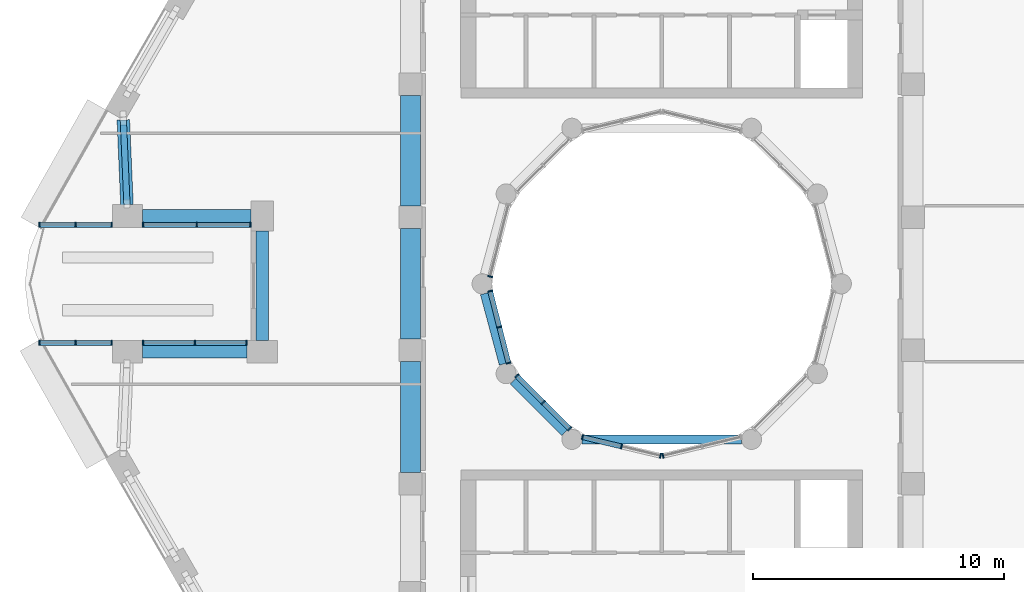
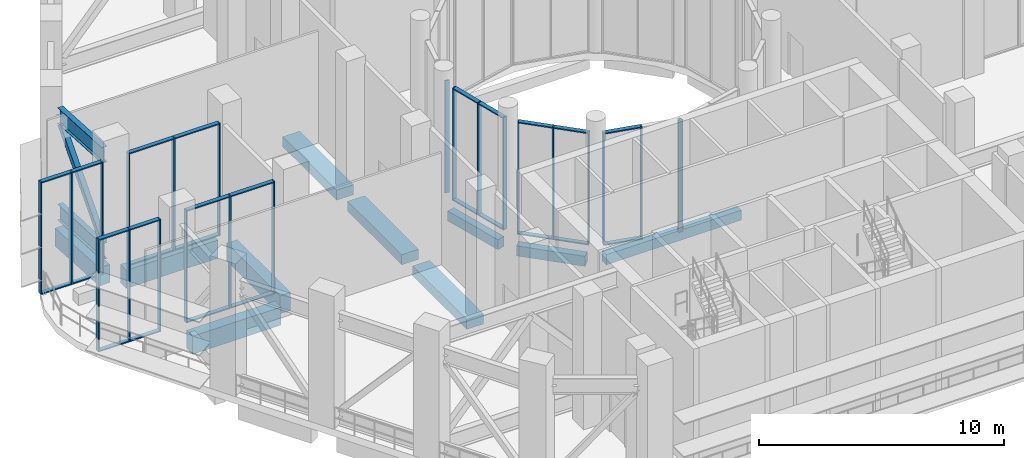
# One storey, part 2 of 19: 52 members, 10 beams, 9 elements without a shape of their own.
"""IFC4 building model written with IfcOpenShell, lengths in metres."""

from ifc_helpers import new_model, si_unit, direction, frame, origin, origin_2d, place, context, subcontext, project, spatial, rectangle, hollow_rectangle, i_section, extrude, material, layer, layer_set, material_profile, profile_set, type_object, element, aggregate, save


model = new_model("IFC4")

# Units and contexts
model_context = context("Model", 3, precision=1e-05, world=origin(), true_north=direction((0.0, 1.0)))
body_context = subcontext(model_context, "Body", "Model", "MODEL_VIEW")
ifc_project = project(units=[si_unit("LENGTHUNIT", "METRE"), si_unit("AREAUNIT", "SQUARE_METRE"), si_unit("VOLUMEUNIT", "CUBIC_METRE"), si_unit("PLANEANGLEUNIT", "RADIAN"), si_unit("MASSUNIT", "GRAM", prefix="KILO")], contexts=[model_context])

# Site, building, storey
site_placement = place(None, origin())
site = spatial("IfcSite", under=ifc_project, at=site_placement, CompositionType="ELEMENT")
building_placement = place(site_placement, origin())
building = spatial("IfcBuilding", under=site, at=building_placement, Name="Nakaniwa Court", CompositionType="ELEMENT")
storey_placement = place(building_placement, frame((0.0, 0.0, 219.60009765625)))
storey = spatial("IfcBuildingStorey", under=building, at=storey_placement, Name="S4", CompositionType="ELEMENT", Elevation=219.60009765625)

# Curtain wall, member
ifc_material_1 = material(Name="Black anodised aluminium frame with dark low-E laminated double glazing", Category="aluminium")
ifc_layer = layer(ifc_material_1, 0.199951171875)
ifc_layer_set = layer_set([ifc_layer], Name="Black anodised aluminium frame with dark low-E laminated double glazing")
curtain_wall_type = type_object("IfcCurtainWallType", Name="Amenity and sky level curtain wall", PredefinedType="NOTDEFINED", material=ifc_layer_set)
curtain_wall_1_placement = place(storey_placement, origin())
curtain_wall_1 = element("IfcCurtainWall", 1, at=curtain_wall_1_placement, inside=storey, type_object=curtain_wall_type, Name="S4 curtain wall CW3 38", PredefinedType="NOTDEFINED")
ifc_material_2 = material(Name="Black anodised aluminium extrusion", Category="aluminium")
ifc_material_profile_1 = material_profile(ifc_material_2, rectangle(XDim=0.199951171875, YDim=0.054931640625, at=origin_2d()), Name="Amenity and sky level curtain wall mullion 55x200")
ifc_profile_set_1 = profile_set([ifc_material_profile_1], Name="Black anodised aluminium extrusion")
member_type_1 = type_object("IfcMemberType", Name="Amenity and sky level curtain wall mullion 55x200", PredefinedType="MULLION", material=ifc_profile_set_1)
member_1_placement = place(storey_placement, frame((80.050048828125, 73.1591796875, 0.0), z_axis=(0.0, 0.0, 1.0), x_axis=(0.231791306712, -0.972765537081, 0.0)))
member_1 = element("IfcMember", 2, at=member_1_placement, type_object=member_type_1, Name="CW3 mullion 3", PredefinedType="MULLION", context=body_context, shape_type="SweptSolid", body=[
    extrude(rectangle(XDim=0.199951171875, YDim=0.054931640625, at=origin_2d()), origin(), (0.0, 0.0, 1.0), 5.58984375),
])
aggregate(curtain_wall_1, [member_1])

# Curtain wall, members
curtain_wall_2_placement = place(storey_placement, origin())
curtain_wall_2 = element("IfcCurtainWall", 3, at=curtain_wall_2_placement, inside=storey, type_object=curtain_wall_type, Name="S4 curtain wall CW3 39", PredefinedType="NOTDEFINED")
member_2_placement = place(storey_placement, frame((79.949951171875, 73.1591796875, 0.0), z_axis=(0.0, 0.0, 1.0), x_axis=(-0.231791306712, -0.972765537081, 0.0)))
member_2 = element("IfcMember", 4, at=member_2_placement, type_object=member_type_1, Name="CW3 mullion 1", PredefinedType="MULLION", context=body_context, shape_type="SweptSolid", body=[
    extrude(rectangle(XDim=0.199951171875, YDim=0.054931640625, at=origin_2d()), origin(), (0.0, 0.0, 1.0), 5.58984375),
])
member_3_placement = place(storey_placement, frame((78.398193359375, 73.52880859375, 0.0), z_axis=(0.0, 0.0, 1.0), x_axis=(-0.231791306712, -0.972765537081, 0.0)))
member_3 = element("IfcMember", 5, at=member_3_placement, type_object=member_type_1, Name="CW3 mullion 2", PredefinedType="MULLION", context=body_context, shape_type="SweptSolid", body=[
    extrude(rectangle(XDim=0.199951171875, YDim=0.054931640625, at=origin_2d()), origin(), (0.0, 0.0, 1.0), 5.58984375),
])
member_4_placement = place(storey_placement, frame((76.846435546875, 73.898681640625, 0.0), z_axis=(0.0, 0.0, 1.0), x_axis=(-0.231791306712, -0.972765537081, 0.0)))
member_4 = element("IfcMember", 6, at=member_4_placement, type_object=member_type_1, Name="CW3 mullion 3", PredefinedType="MULLION", context=body_context, shape_type="SweptSolid", body=[
    extrude(rectangle(XDim=0.199951171875, YDim=0.054931640625, at=origin_2d()), origin(), (0.0, 0.0, 1.0), 5.58984375),
])

curtain_wall_3_placement = place(storey_placement, origin())
curtain_wall_3 = element("IfcCurtainWall", 7, at=curtain_wall_3_placement, inside=storey, type_object=curtain_wall_type, Name="S4 curtain wall CW3 40", PredefinedType="NOTDEFINED")
member_5_placement = place(storey_placement, frame((76.33740234375, 74.2314453125, 0.0), z_axis=(0.0, 0.0, 1.0), x_axis=(-0.707106781187, -0.707106781187, 0.0)))
member_5 = element("IfcMember", 8, at=member_5_placement, type_object=member_type_1, Name="CW3 mullion 1", PredefinedType="MULLION", context=body_context, shape_type="SweptSolid", body=[
    extrude(rectangle(XDim=0.199951171875, YDim=0.054931640625, at=origin_2d()), origin(), (0.0, 0.0, 1.0), 5.58984375),
])
member_6_placement = place(storey_placement, frame((75.284423828125, 75.284423828125, 0.0), z_axis=(0.0, 0.0, 1.0), x_axis=(-0.707106781187, -0.707106781187, 0.0)))
member_6 = element("IfcMember", 9, at=member_6_placement, type_object=member_type_1, Name="CW3 mullion 2", PredefinedType="MULLION", context=body_context, shape_type="SweptSolid", body=[
    extrude(rectangle(XDim=0.199951171875, YDim=0.054931640625, at=origin_2d()), origin(), (0.0, 0.0, 1.0), 5.58984375),
])
member_7_placement = place(storey_placement, frame((74.2314453125, 76.33740234375, 0.0), z_axis=(0.0, 0.0, 1.0), x_axis=(-0.707106781187, -0.707106781187, 0.0)))
member_7 = element("IfcMember", 10, at=member_7_placement, type_object=member_type_1, Name="CW3 mullion 3", PredefinedType="MULLION", context=body_context, shape_type="SweptSolid", body=[
    extrude(rectangle(XDim=0.199951171875, YDim=0.054931640625, at=origin_2d()), origin(), (0.0, 0.0, 1.0), 5.58984375),
])

curtain_wall_4_placement = place(storey_placement, origin())
curtain_wall_4 = element("IfcCurtainWall", 11, at=curtain_wall_4_placement, inside=storey, type_object=curtain_wall_type, Name="S4 curtain wall CW3 41", PredefinedType="NOTDEFINED")
member_8_placement = place(storey_placement, frame((73.90087890625, 76.84619140625, 0.0), z_axis=(0.0, 0.0, 1.0), x_axis=(-0.968986463302, -0.247113807661, 0.0)))
member_8 = element("IfcMember", 12, at=member_8_placement, type_object=member_type_1, Name="CW3 mullion 1", PredefinedType="MULLION", context=body_context, shape_type="SweptSolid", body=[
    extrude(rectangle(XDim=0.199951171875, YDim=0.054931640625, at=origin_2d()), origin(), (0.0, 0.0, 1.0), 5.58984375),
])
member_9_placement = place(storey_placement, frame((73.53564453125, 78.27783203125, 0.0), z_axis=(0.0, 0.0, 1.0), x_axis=(-0.968986463302, -0.247113807661, 0.0)))
member_9 = element("IfcMember", 13, at=member_9_placement, type_object=member_type_1, Name="CW3 mullion 2", PredefinedType="MULLION", context=body_context, shape_type="SweptSolid", body=[
    extrude(rectangle(XDim=0.199951171875, YDim=0.054931640625, at=origin_2d()), origin(), (0.0, 0.0, 1.0), 5.58984375),
])
member_10_placement = place(storey_placement, frame((73.170654296875, 79.70947265625, 0.0), z_axis=(0.0, 0.0, 1.0), x_axis=(-0.968986463302, -0.247113807661, 0.0)))
member_10 = element("IfcMember", 14, at=member_10_placement, type_object=member_type_1, Name="CW3 mullion 3", PredefinedType="MULLION", context=body_context, shape_type="SweptSolid", body=[
    extrude(rectangle(XDim=0.199951171875, YDim=0.054931640625, at=origin_2d()), origin(), (0.0, 0.0, 1.0), 5.58984375),
])

# Curtain wall, member
curtain_wall_5_placement = place(storey_placement, origin())
curtain_wall_5 = element("IfcCurtainWall", 15, at=curtain_wall_5_placement, inside=storey, type_object=curtain_wall_type, Name="S4 curtain wall CW3 42", PredefinedType="NOTDEFINED")
member_11_placement = place(storey_placement, frame((73.170654296875, 80.29052734375, 0.0), z_axis=(0.0, 0.0, 1.0), x_axis=(-0.968986463302, 0.247113807661, 0.0)))
member_11 = element("IfcMember", 16, at=member_11_placement, type_object=member_type_1, Name="CW3 mullion 1", PredefinedType="MULLION", context=body_context, shape_type="SweptSolid", body=[
    extrude(rectangle(XDim=0.199951171875, YDim=0.054931640625, at=origin_2d()), origin(), (0.0, 0.0, 1.0), 5.58984375),
])
aggregate(curtain_wall_5, [member_11])

# Curtain wall, members
curtain_wall_6_placement = place(storey_placement, origin())
curtain_wall_6 = element("IfcCurtainWall", 17, at=curtain_wall_6_placement, inside=storey, type_object=curtain_wall_type, Name="S4 curtain wall CW3 15", PredefinedType="NOTDEFINED")
member_12_placement = place(storey_placement, frame((55.2294921875, 82.35009765625, 0.0), z_axis=(0.0, 0.0, 1.0), x_axis=(0.0, 1.0, 0.0)))
member_12 = element("IfcMember", 18, at=member_12_placement, type_object=member_type_1, Name="CW3 mullion 1", PredefinedType="MULLION", context=body_context, shape_type="SweptSolid", body=[
    extrude(rectangle(XDim=0.199951171875, YDim=0.054931640625, at=origin_2d()), origin(), (0.0, 0.0, 1.0), 5.58984375),
])
member_13_placement = place(storey_placement, frame((56.671142578125, 82.35009765625, 0.0), z_axis=(0.0, 0.0, 1.0), x_axis=(0.0, 1.0, 0.0)))
member_13 = element("IfcMember", 19, at=member_13_placement, type_object=member_type_1, Name="CW3 mullion 2", PredefinedType="MULLION", context=body_context, shape_type="SweptSolid", body=[
    extrude(rectangle(XDim=0.199951171875, YDim=0.054931640625, at=origin_2d()), origin(), (0.0, 0.0, 1.0), 5.58984375),
])
member_14_placement = place(storey_placement, frame((58.112548828125, 82.35009765625, 0.0), z_axis=(0.0, 0.0, 1.0), x_axis=(0.0, 1.0, 0.0)))
member_14 = element("IfcMember", 20, at=member_14_placement, type_object=member_type_1, Name="CW3 mullion 3", PredefinedType="MULLION", context=body_context, shape_type="SweptSolid", body=[
    extrude(rectangle(XDim=0.199951171875, YDim=0.054931640625, at=origin_2d()), origin(), (0.0, 0.0, 1.0), 5.58984375),
])

curtain_wall_7_placement = place(storey_placement, origin())
curtain_wall_7 = element("IfcCurtainWall", 21, at=curtain_wall_7_placement, inside=storey, type_object=curtain_wall_type, Name="S4 curtain wall CW3 16", PredefinedType="NOTDEFINED")
member_15_placement = place(storey_placement, frame((59.359619140625, 82.35009765625, 0.0), z_axis=(0.0, 0.0, 1.0), x_axis=(0.0, 1.0, 0.0)))
member_15 = element("IfcMember", 22, at=member_15_placement, type_object=member_type_1, Name="CW3 mullion 1", PredefinedType="MULLION", context=body_context, shape_type="SweptSolid", body=[
    extrude(rectangle(XDim=0.199951171875, YDim=0.054931640625, at=origin_2d()), origin(), (0.0, 0.0, 1.0), 5.58984375),
])
member_16_placement = place(storey_placement, frame((61.4931640625, 82.35009765625, 0.0), z_axis=(0.0, 0.0, 1.0), x_axis=(0.0, 1.0, 0.0)))
member_16 = element("IfcMember", 23, at=member_16_placement, type_object=member_type_1, Name="CW3 mullion 2", PredefinedType="MULLION", context=body_context, shape_type="SweptSolid", body=[
    extrude(rectangle(XDim=0.199951171875, YDim=0.054931640625, at=origin_2d()), origin(), (0.0, 0.0, 1.0), 5.58984375),
])
member_17_placement = place(storey_placement, frame((63.626953125, 82.35009765625, 0.0), z_axis=(0.0, 0.0, 1.0), x_axis=(0.0, 1.0, 0.0)))
member_17 = element("IfcMember", 24, at=member_17_placement, type_object=member_type_1, Name="CW3 mullion 3", PredefinedType="MULLION", context=body_context, shape_type="SweptSolid", body=[
    extrude(rectangle(XDim=0.199951171875, YDim=0.054931640625, at=origin_2d()), origin(), (0.0, 0.0, 1.0), 5.58984375),
])

curtain_wall_8_placement = place(storey_placement, origin())
curtain_wall_8 = element("IfcCurtainWall", 25, at=curtain_wall_8_placement, inside=storey, type_object=curtain_wall_type, Name="S4 curtain wall CW3 18", PredefinedType="NOTDEFINED")
member_18_placement = place(storey_placement, frame((63.47705078125, 77.64990234375, 0.0), z_axis=(0.0, 0.0, 1.0), x_axis=(0.0, -1.0, 0.0)))
member_18 = element("IfcMember", 26, at=member_18_placement, type_object=member_type_1, Name="CW3 mullion 1", PredefinedType="MULLION", context=body_context, shape_type="SweptSolid", body=[
    extrude(rectangle(XDim=0.199951171875, YDim=0.054931640625, at=origin_2d()), origin(), (0.0, 0.0, 1.0), 5.58984375),
])
member_19_placement = place(storey_placement, frame((61.418212890625, 77.64990234375, 0.0), z_axis=(0.0, 0.0, 1.0), x_axis=(0.0, -1.0, 0.0)))
member_19 = element("IfcMember", 27, at=member_19_placement, type_object=member_type_1, Name="CW3 mullion 2", PredefinedType="MULLION", context=body_context, shape_type="SweptSolid", body=[
    extrude(rectangle(XDim=0.199951171875, YDim=0.054931640625, at=origin_2d()), origin(), (0.0, 0.0, 1.0), 5.58984375),
])
member_20_placement = place(storey_placement, frame((59.359619140625, 77.64990234375, 0.0), z_axis=(0.0, 0.0, 1.0), x_axis=(0.0, -1.0, 0.0)))
member_20 = element("IfcMember", 28, at=member_20_placement, type_object=member_type_1, Name="CW3 mullion 3", PredefinedType="MULLION", context=body_context, shape_type="SweptSolid", body=[
    extrude(rectangle(XDim=0.199951171875, YDim=0.054931640625, at=origin_2d()), origin(), (0.0, 0.0, 1.0), 5.58984375),
])

curtain_wall_9_placement = place(storey_placement, origin())
curtain_wall_9 = element("IfcCurtainWall", 29, at=curtain_wall_9_placement, inside=storey, type_object=curtain_wall_type, Name="S4 curtain wall CW3 19", PredefinedType="NOTDEFINED")
member_21_placement = place(storey_placement, frame((58.112548828125, 77.64990234375, 0.0), z_axis=(0.0, 0.0, 1.0), x_axis=(0.0, -1.0, 0.0)))
member_21 = element("IfcMember", 30, at=member_21_placement, type_object=member_type_1, Name="CW3 mullion 1", PredefinedType="MULLION", context=body_context, shape_type="SweptSolid", body=[
    extrude(rectangle(XDim=0.199951171875, YDim=0.054931640625, at=origin_2d()), origin(), (0.0, 0.0, 1.0), 5.58984375),
])
member_22_placement = place(storey_placement, frame((56.671142578125, 77.64990234375, 0.0), z_axis=(0.0, 0.0, 1.0), x_axis=(0.0, -1.0, 0.0)))
member_22 = element("IfcMember", 31, at=member_22_placement, type_object=member_type_1, Name="CW3 mullion 2", PredefinedType="MULLION", context=body_context, shape_type="SweptSolid", body=[
    extrude(rectangle(XDim=0.199951171875, YDim=0.054931640625, at=origin_2d()), origin(), (0.0, 0.0, 1.0), 5.58984375),
])
member_23_placement = place(storey_placement, frame((55.2294921875, 77.64990234375, 0.0), z_axis=(0.0, 0.0, 1.0), x_axis=(0.0, -1.0, 0.0)))
member_23 = element("IfcMember", 32, at=member_23_placement, type_object=member_type_1, Name="CW3 mullion 3", PredefinedType="MULLION", context=body_context, shape_type="SweptSolid", body=[
    extrude(rectangle(XDim=0.199951171875, YDim=0.054931640625, at=origin_2d()), origin(), (0.0, 0.0, 1.0), 5.58984375),
])

# Member
ifc_material_profile_2 = material_profile(ifc_material_2, rectangle(XDim=0.199951171875, YDim=0.054931640625, at=origin_2d()), Name="Amenity and sky level curtain wall transom 55x200")
ifc_profile_set_2 = profile_set([ifc_material_profile_2], Name="Black anodised aluminium extrusion")
member_type_2 = type_object("IfcMemberType", Name="Amenity and sky level curtain wall transom 55x200", PredefinedType="USERDEFINED", material=ifc_profile_set_2)
member_24_placement = place(storey_placement, frame((78.371337890625, 73.53515625, 0.02734375), z_axis=(-0.972741550558, 0.231891948585, 0.0), x_axis=(-0.231891948585, -0.972741550558, 0.0)))
member_24 = element("IfcMember", 33, at=member_24_placement, type_object=member_type_2, Name="CW3 transom 2.1", ObjectType="TRANSOM", PredefinedType="USERDEFINED", context=body_context, shape_type="SweptSolid", body=[
    extrude(rectangle(XDim=0.199951171875, YDim=0.054931640625, at=origin_2d()), origin(), (0.0, 0.0, 1.0), 1.540283203125),
])

member_25_placement = place(storey_placement, frame((78.371337890625, 73.53515625, 5.5625), z_axis=(-0.972741550558, 0.231891948585, 0.0), x_axis=(-0.231891948585, -0.972741550558, 0.0)))
member_25 = element("IfcMember", 34, at=member_25_placement, type_object=member_type_2, Name="CW3 transom 2.2", ObjectType="TRANSOM", PredefinedType="USERDEFINED", context=body_context, shape_type="SweptSolid", body=[
    extrude(rectangle(XDim=0.199951171875, YDim=0.054931640625, at=origin_2d()), origin(), (0.0, 0.0, 1.0), 1.540283203125),
])

aggregate(curtain_wall_2, [member_2, member_3, member_4, member_24, member_25])

member_26_placement = place(storey_placement, frame((76.31787109375, 74.2509765625, 0.02734375), z_axis=(-0.707106781187, 0.707106781187, 0.0), x_axis=(-0.707106781187, -0.707106781187, 0.0)))
member_26 = element("IfcMember", 35, at=member_26_placement, type_object=member_type_2, Name="CW3 transom 1.1", ObjectType="TRANSOM", PredefinedType="USERDEFINED", context=body_context, shape_type="SweptSolid", body=[
    extrude(rectangle(XDim=0.199951171875, YDim=0.054931640625, at=origin_2d()), origin(), (0.0, 0.0, 1.0), 1.433837890625),
])

member_27_placement = place(storey_placement, frame((76.31787109375, 74.2509765625, 5.5625), z_axis=(-0.707106781187, 0.707106781187, 0.0), x_axis=(-0.707106781187, -0.707106781187, 0.0)))
member_27 = element("IfcMember", 36, at=member_27_placement, type_object=member_type_2, Name="CW3 transom 1.2", ObjectType="TRANSOM", PredefinedType="USERDEFINED", context=body_context, shape_type="SweptSolid", body=[
    extrude(rectangle(XDim=0.199951171875, YDim=0.054931640625, at=origin_2d()), origin(), (0.0, 0.0, 1.0), 1.433837890625),
])

member_28_placement = place(storey_placement, frame((75.264892578125, 75.303955078125, 0.02734375), z_axis=(-0.707106781187, 0.707106781187, 0.0), x_axis=(-0.707106781187, -0.707106781187, 0.0)))
member_28 = element("IfcMember", 37, at=member_28_placement, type_object=member_type_2, Name="CW3 transom 2.1", ObjectType="TRANSOM", PredefinedType="USERDEFINED", context=body_context, shape_type="SweptSolid", body=[
    extrude(rectangle(XDim=0.199951171875, YDim=0.054931640625, at=origin_2d()), origin(), (0.0, 0.0, 1.0), 1.433837890625),
])

member_29_placement = place(storey_placement, frame((75.264892578125, 75.303955078125, 5.5625), z_axis=(-0.707106781187, 0.707106781187, 0.0), x_axis=(-0.707106781187, -0.707106781187, 0.0)))
member_29 = element("IfcMember", 38, at=member_29_placement, type_object=member_type_2, Name="CW3 transom 2.2", ObjectType="TRANSOM", PredefinedType="USERDEFINED", context=body_context, shape_type="SweptSolid", body=[
    extrude(rectangle(XDim=0.199951171875, YDim=0.054931640625, at=origin_2d()), origin(), (0.0, 0.0, 1.0), 1.433837890625),
])

aggregate(curtain_wall_3, [member_5, member_6, member_7, member_26, member_27, member_28, member_29])

member_30_placement = place(storey_placement, frame((73.89404296875, 76.872802734375, 0.02734375), z_axis=(-0.247136415914, 0.968980697398, 0.0), x_axis=(-0.968980697398, -0.247136415914, 0.0)))
member_30 = element("IfcMember", 39, at=member_30_placement, type_object=member_type_2, Name="CW3 transom 1.1", ObjectType="TRANSOM", PredefinedType="USERDEFINED", context=body_context, shape_type="SweptSolid", body=[
    extrude(rectangle(XDim=0.199951171875, YDim=0.054931640625, at=origin_2d()), origin(), (0.0, 0.0, 1.0), 1.422607421875),
])

member_31_placement = place(storey_placement, frame((73.89404296875, 76.872802734375, 5.5625), z_axis=(-0.247136415914, 0.968980697398, 0.0), x_axis=(-0.968980697398, -0.247136415914, 0.0)))
member_31 = element("IfcMember", 40, at=member_31_placement, type_object=member_type_2, Name="CW3 transom 1.2", ObjectType="TRANSOM", PredefinedType="USERDEFINED", context=body_context, shape_type="SweptSolid", body=[
    extrude(rectangle(XDim=0.199951171875, YDim=0.054931640625, at=origin_2d()), origin(), (0.0, 0.0, 1.0), 1.422607421875),
])

member_32_placement = place(storey_placement, frame((73.52880859375, 78.304443359375, 0.02734375), z_axis=(-0.24697526524, 0.969021784255, 0.0), x_axis=(-0.969021784255, -0.24697526524, 0.0)))
member_32 = element("IfcMember", 41, at=member_32_placement, type_object=member_type_2, Name="CW3 transom 2.1", ObjectType="TRANSOM", PredefinedType="USERDEFINED", context=body_context, shape_type="SweptSolid", body=[
    extrude(rectangle(XDim=0.199951171875, YDim=0.054931640625, at=origin_2d()), origin(), (0.0, 0.0, 1.0), 1.42236328125),
])

member_33_placement = place(storey_placement, frame((73.52880859375, 78.304443359375, 5.5625), z_axis=(-0.24697526524, 0.969021784255, 0.0), x_axis=(-0.969021784255, -0.24697526524, 0.0)))
member_33 = element("IfcMember", 42, at=member_33_placement, type_object=member_type_2, Name="CW3 transom 2.2", ObjectType="TRANSOM", PredefinedType="USERDEFINED", context=body_context, shape_type="SweptSolid", body=[
    extrude(rectangle(XDim=0.199951171875, YDim=0.054931640625, at=origin_2d()), origin(), (0.0, 0.0, 1.0), 1.42236328125),
])

aggregate(curtain_wall_4, [member_8, member_9, member_10, member_30, member_31, member_32, member_33])

member_34_placement = place(storey_placement, frame((55.257080078125, 82.35009765625, 0.02734375), z_axis=(1.0, 0.0, 0.0), x_axis=(0.0, 1.0, 0.0)))
member_34 = element("IfcMember", 43, at=member_34_placement, type_object=member_type_2, Name="CW3 transom 1.1", ObjectType="TRANSOM", PredefinedType="USERDEFINED", context=body_context, shape_type="SweptSolid", body=[
    extrude(rectangle(XDim=0.199951171875, YDim=0.054931640625, at=origin_2d()), origin(), (0.0, 0.0, 1.0), 1.386474609375),
])

member_35_placement = place(storey_placement, frame((55.257080078125, 82.35009765625, 5.5625), z_axis=(1.0, 0.0, 0.0), x_axis=(0.0, 1.0, 0.0)))
member_35 = element("IfcMember", 44, at=member_35_placement, type_object=member_type_2, Name="CW3 transom 1.2", ObjectType="TRANSOM", PredefinedType="USERDEFINED", context=body_context, shape_type="SweptSolid", body=[
    extrude(rectangle(XDim=0.199951171875, YDim=0.054931640625, at=origin_2d()), origin(), (0.0, 0.0, 1.0), 1.386474609375),
])

member_36_placement = place(storey_placement, frame((56.698486328125, 82.35009765625, 0.02734375), z_axis=(1.0, 0.0, 0.0), x_axis=(0.0, 1.0, 0.0)))
member_36 = element("IfcMember", 45, at=member_36_placement, type_object=member_type_2, Name="CW3 transom 2.1", ObjectType="TRANSOM", PredefinedType="USERDEFINED", context=body_context, shape_type="SweptSolid", body=[
    extrude(rectangle(XDim=0.199951171875, YDim=0.054931640625, at=origin_2d()), origin(), (0.0, 0.0, 1.0), 1.386474609375),
])

member_37_placement = place(storey_placement, frame((56.698486328125, 82.35009765625, 5.5625), z_axis=(1.0, 0.0, 0.0), x_axis=(0.0, 1.0, 0.0)))
member_37 = element("IfcMember", 46, at=member_37_placement, type_object=member_type_2, Name="CW3 transom 2.2", ObjectType="TRANSOM", PredefinedType="USERDEFINED", context=body_context, shape_type="SweptSolid", body=[
    extrude(rectangle(XDim=0.199951171875, YDim=0.054931640625, at=origin_2d()), origin(), (0.0, 0.0, 1.0), 1.386474609375),
])

aggregate(curtain_wall_6, [member_12, member_13, member_14, member_34, member_35, member_36, member_37])

member_38_placement = place(storey_placement, frame((59.386962890625, 82.35009765625, 0.02734375), z_axis=(1.0, 0.0, 0.0), x_axis=(0.0, 1.0, 0.0)))
member_38 = element("IfcMember", 47, at=member_38_placement, type_object=member_type_2, Name="CW3 transom 1.1", ObjectType="TRANSOM", PredefinedType="USERDEFINED", context=body_context, shape_type="SweptSolid", body=[
    extrude(rectangle(XDim=0.199951171875, YDim=0.054931640625, at=origin_2d()), origin(), (0.0, 0.0, 1.0), 2.078857421875),
])

member_39_placement = place(storey_placement, frame((59.386962890625, 82.35009765625, 5.5625), z_axis=(1.0, 0.0, 0.0), x_axis=(0.0, 1.0, 0.0)))
member_39 = element("IfcMember", 48, at=member_39_placement, type_object=member_type_2, Name="CW3 transom 1.2", ObjectType="TRANSOM", PredefinedType="USERDEFINED", context=body_context, shape_type="SweptSolid", body=[
    extrude(rectangle(XDim=0.199951171875, YDim=0.054931640625, at=origin_2d()), origin(), (0.0, 0.0, 1.0), 2.078857421875),
])

member_40_placement = place(storey_placement, frame((61.520751953125, 82.35009765625, 0.02734375), z_axis=(1.0, 0.0, 0.0), x_axis=(0.0, 1.0, 0.0)))
member_40 = element("IfcMember", 49, at=member_40_placement, type_object=member_type_2, Name="CW3 transom 2.1", ObjectType="TRANSOM", PredefinedType="USERDEFINED", context=body_context, shape_type="SweptSolid", body=[
    extrude(rectangle(XDim=0.199951171875, YDim=0.054931640625, at=origin_2d()), origin(), (0.0, 0.0, 1.0), 2.078857421875),
])

member_41_placement = place(storey_placement, frame((61.520751953125, 82.35009765625, 5.5625), z_axis=(1.0, 0.0, 0.0), x_axis=(0.0, 1.0, 0.0)))
member_41 = element("IfcMember", 50, at=member_41_placement, type_object=member_type_2, Name="CW3 transom 2.2", ObjectType="TRANSOM", PredefinedType="USERDEFINED", context=body_context, shape_type="SweptSolid", body=[
    extrude(rectangle(XDim=0.199951171875, YDim=0.054931640625, at=origin_2d()), origin(), (0.0, 0.0, 1.0), 2.078857421875),
])

aggregate(curtain_wall_7, [member_15, member_16, member_17, member_38, member_39, member_40, member_41])

member_42_placement = place(storey_placement, frame((63.449462890625, 77.64990234375, 0.02734375), z_axis=(-1.0, 0.0, 0.0), x_axis=(0.0, -1.0, 0.0)))
member_42 = element("IfcMember", 51, at=member_42_placement, type_object=member_type_2, Name="CW3 transom 1.1", ObjectType="TRANSOM", PredefinedType="USERDEFINED", context=body_context, shape_type="SweptSolid", body=[
    extrude(rectangle(XDim=0.199951171875, YDim=0.054931640625, at=origin_2d()), origin(), (0.0, 0.0, 1.0), 2.003662109375),
])

member_43_placement = place(storey_placement, frame((63.449462890625, 77.64990234375, 5.5625), z_axis=(-1.0, 0.0, 0.0), x_axis=(0.0, -1.0, 0.0)))
member_43 = element("IfcMember", 52, at=member_43_placement, type_object=member_type_2, Name="CW3 transom 1.2", ObjectType="TRANSOM", PredefinedType="USERDEFINED", context=body_context, shape_type="SweptSolid", body=[
    extrude(rectangle(XDim=0.199951171875, YDim=0.054931640625, at=origin_2d()), origin(), (0.0, 0.0, 1.0), 2.003662109375),
])

member_44_placement = place(storey_placement, frame((61.390869140625, 77.64990234375, 0.02734375), z_axis=(-1.0, 0.0, 0.0), x_axis=(0.0, -1.0, 0.0)))
member_44 = element("IfcMember", 53, at=member_44_placement, type_object=member_type_2, Name="CW3 transom 2.1", ObjectType="TRANSOM", PredefinedType="USERDEFINED", context=body_context, shape_type="SweptSolid", body=[
    extrude(rectangle(XDim=0.199951171875, YDim=0.054931640625, at=origin_2d()), origin(), (0.0, 0.0, 1.0), 2.00390625),
])

member_45_placement = place(storey_placement, frame((61.390869140625, 77.64990234375, 5.5625), z_axis=(-1.0, 0.0, 0.0), x_axis=(0.0, -1.0, 0.0)))
member_45 = element("IfcMember", 54, at=member_45_placement, type_object=member_type_2, Name="CW3 transom 2.2", ObjectType="TRANSOM", PredefinedType="USERDEFINED", context=body_context, shape_type="SweptSolid", body=[
    extrude(rectangle(XDim=0.199951171875, YDim=0.054931640625, at=origin_2d()), origin(), (0.0, 0.0, 1.0), 2.00390625),
])

aggregate(curtain_wall_8, [member_18, member_19, member_20, member_42, member_43, member_44, member_45])

member_46_placement = place(storey_placement, frame((58.0849609375, 77.64990234375, 0.02734375), z_axis=(-1.0, 0.0, 0.0), x_axis=(0.0, -1.0, 0.0)))
member_46 = element("IfcMember", 55, at=member_46_placement, type_object=member_type_2, Name="CW3 transom 1.1", ObjectType="TRANSOM", PredefinedType="USERDEFINED", context=body_context, shape_type="SweptSolid", body=[
    extrude(rectangle(XDim=0.199951171875, YDim=0.054931640625, at=origin_2d()), origin(), (0.0, 0.0, 1.0), 1.386474609375),
])

member_47_placement = place(storey_placement, frame((58.0849609375, 77.64990234375, 5.5625), z_axis=(-1.0, 0.0, 0.0), x_axis=(0.0, -1.0, 0.0)))
member_47 = element("IfcMember", 56, at=member_47_placement, type_object=member_type_2, Name="CW3 transom 1.2", ObjectType="TRANSOM", PredefinedType="USERDEFINED", context=body_context, shape_type="SweptSolid", body=[
    extrude(rectangle(XDim=0.199951171875, YDim=0.054931640625, at=origin_2d()), origin(), (0.0, 0.0, 1.0), 1.386474609375),
])

member_48_placement = place(storey_placement, frame((56.6435546875, 77.64990234375, 0.02734375), z_axis=(-1.0, 0.0, 0.0), x_axis=(0.0, -1.0, 0.0)))
member_48 = element("IfcMember", 57, at=member_48_placement, type_object=member_type_2, Name="CW3 transom 2.1", ObjectType="TRANSOM", PredefinedType="USERDEFINED", context=body_context, shape_type="SweptSolid", body=[
    extrude(rectangle(XDim=0.199951171875, YDim=0.054931640625, at=origin_2d()), origin(), (0.0, 0.0, 1.0), 1.386474609375),
])

member_49_placement = place(storey_placement, frame((56.6435546875, 77.64990234375, 5.5625), z_axis=(-1.0, 0.0, 0.0), x_axis=(0.0, -1.0, 0.0)))
member_49 = element("IfcMember", 58, at=member_49_placement, type_object=member_type_2, Name="CW3 transom 2.2", ObjectType="TRANSOM", PredefinedType="USERDEFINED", context=body_context, shape_type="SweptSolid", body=[
    extrude(rectangle(XDim=0.199951171875, YDim=0.054931640625, at=origin_2d()), origin(), (0.0, 0.0, 1.0), 1.386474609375),
])

aggregate(curtain_wall_9, [member_21, member_22, member_23, member_46, member_47, member_48, member_49])

# Members
ifc_material_3 = material(Name="Steel Grade 350", Category="steel")
ifc_material_profile_3 = material_profile(ifc_material_3, i_section(OverallWidth=0.25, OverallDepth=0.7919921875, WebThickness=0.010009765625, FlangeThickness=0.01611328125, at=origin_2d()), Name="800WB122")
ifc_profile_set_3 = profile_set([ifc_material_profile_3], Name="Steel Grade 350")
member_type_3 = type_object("IfcMemberType", Name="BELT chord 800 WB122", PredefinedType="CHORD", material=ifc_profile_set_3)
for number, where, z_axis, x_axis, name in (
    (59, (58.57177734375, 86.521728515625, 0.39599609375), (0.042897265713, -0.999079488627, 0.0), (0.999079488627, 0.042897265713, 0.0), "BELT CHORD BT-06-B"),
    (60, (58.57177734375, 86.521728515625, 5.19384765625), (0.042897265713, -0.999079488627, 0.0), (0.999079488627, 0.042897265713, 0.0), "BELT CHORD BT-06-T"),
):
    element("IfcMember", number, at=place(storey_placement, frame(where, z_axis=z_axis, x_axis=x_axis)), inside=storey, type_object=member_type_3, Name=name, PredefinedType="CHORD", context=body_context, shape_type="SweptSolid", body=[
        extrude(i_section(OverallWidth=0.25, OverallDepth=0.7919921875, WebThickness=0.010009765625, FlangeThickness=0.01611328125, at=origin_2d()), origin(), (0.0, 0.0, 1.0), 3.375),
    ])
ifc_material_profile_4 = material_profile(ifc_material_3, hollow_rectangle(XDim=0.25, YDim=0.25, WallThickness=0.012451171875, at=origin_2d()), Name="BELT diagonal 250x250x12.5 SHS")
ifc_profile_set_4 = profile_set([ifc_material_profile_4], Name="Steel Grade 350")
member_type_4 = type_object("IfcMemberType", Name="BELT diagonal 250x250x12.5 SHS", PredefinedType="BRACE", material=ifc_profile_set_4)
member_50_placement = place(storey_placement, frame((58.575927734375, 86.421875, 4.7978515625), z_axis=(0.026700087947, -0.620550165671, -0.783712062679), x_axis=(0.999075644334, 0.042986706064, 0.0)))
element("IfcMember", 61, at=member_50_placement, inside=storey, type_object=member_type_4, Name="BELT DIAGONAL BT-06-D", PredefinedType="BRACE", context=body_context, shape_type="SweptSolid", body=[
    extrude(hollow_rectangle(XDim=0.25, YDim=0.25, WallThickness=0.012451171875, at=origin_2d()), origin(), (0.0, 0.0, 1.0), 5.111328125),
])

# Beams
ifc_material_4 = material(Name="Concrete C80/100", Category="concrete")
ifc_material_profile_5 = material_profile(ifc_material_4, rectangle(XDim=0.35009765625, YDim=0.5, at=origin_2d()), Name="Concrete C80/100 RC 350x500 ring beam")
ifc_profile_set_5 = profile_set([ifc_material_profile_5], Name="Concrete C80/100")
beam_type_1 = type_object("IfcBeamType", Name="Concrete C80/100 RC 350x500 ring beam", PredefinedType="BEAM", material=ifc_profile_set_5)
beam_1_placement = place(storey_placement, frame((72.95361328125, 79.613525390625, -0.60009765625), z_axis=(0.258778150207, -0.965936783115, 0.0), x_axis=(0.965936783115, 0.258778150207, 0.0)))
element("IfcBeam", 62, at=beam_1_placement, inside=storey, type_object=beam_type_1, Name="RING BEAM", PredefinedType="BEAM", context=body_context, shape_type="SweptSolid", body=[
    extrude(rectangle(XDim=0.35009765625, YDim=0.5, at=origin_2d()), origin(), (0.0, 0.0, 1.0), 2.901123046875),
])
beam_2_placement = place(storey_placement, frame((74.0908203125, 76.14208984375, -0.60009765625), z_axis=(0.707106781187, -0.707106781187, 0.0), x_axis=(0.707106781187, 0.707106781187, 0.0)))
element("IfcBeam", 63, at=beam_2_placement, inside=storey, type_object=beam_type_1, Name="RING BEAM", PredefinedType="BEAM", context=body_context, shape_type="SweptSolid", body=[
    extrude(rectangle(XDim=0.35009765625, YDim=0.5, at=origin_2d()), origin(), (0.0, 0.0, 1.0), 2.90087890625),
])
beam_3_placement = place(storey_placement, frame((76.824951171875, 73.807861328125, -0.60009765625), z_axis=(1.0, 0.0, 0.0), x_axis=(0.0, 1.0, 0.0)))
element("IfcBeam", 64, at=beam_3_placement, inside=storey, type_object=beam_type_1, Name="RING BEAM", PredefinedType="BEAM", context=body_context, shape_type="SweptSolid", body=[
    extrude(rectangle(XDim=0.35009765625, YDim=0.5, at=origin_2d()), origin(), (0.0, 0.0, 1.0), 6.35009765625),
])
ifc_material_profile_6 = material_profile(ifc_material_4, rectangle(XDim=0.5, YDim=0.89990234375, at=origin_2d()), Name="Concrete C80/100 RC 500x900 spandrel beam")
ifc_profile_set_6 = profile_set([ifc_material_profile_6], Name="Concrete C80/100")
beam_type_2 = type_object("IfcBeamType", Name="Concrete C80/100 RC 500x900 spandrel beam", PredefinedType="BEAM", material=ifc_profile_set_6)
beam_4_placement = place(storey_placement, frame((58.57177734375, 86.521728515625, -0.800048828125), z_axis=(0.042897265713, -0.999079488627, 0.0), x_axis=(0.999079488627, 0.042897265713, 0.0)))
element("IfcBeam", 65, at=beam_4_placement, inside=storey, type_object=beam_type_2, Name="SPANDREL BEAM", PredefinedType="BEAM", context=body_context, shape_type="SweptSolid", body=[
    extrude(rectangle(XDim=0.5, YDim=0.89990234375, at=origin_2d()), origin(), (0.0, 0.0, 1.0), 3.375),
])
beam_5_placement = place(storey_placement, frame((59.3359375, 82.699951171875, -0.800048828125), z_axis=(1.0, 0.0, 0.0), x_axis=(0.0, 1.0, 0.0)))
element("IfcBeam", 66, at=beam_5_placement, inside=storey, type_object=beam_type_2, Name="SPANDREL BEAM", PredefinedType="BEAM", context=body_context, shape_type="SweptSolid", body=[
    extrude(rectangle(XDim=0.5, YDim=0.89990234375, at=origin_2d()), origin(), (0.0, 0.0, 1.0), 4.314453125),
])
beam_6_placement = place(storey_placement, frame((64.1005859375, 82.10009765625, -0.800048828125), z_axis=(0.0, -1.0, 0.0), x_axis=(1.0, 0.0, 0.0)))
element("IfcBeam", 67, at=beam_6_placement, inside=storey, type_object=beam_type_2, Name="SPANDREL BEAM", PredefinedType="BEAM", context=body_context, shape_type="SweptSolid", body=[
    extrude(rectangle(XDim=0.5, YDim=0.89990234375, at=origin_2d()), origin(), (0.0, 0.0, 1.0), 4.35009765625),
])
beam_7_placement = place(storey_placement, frame((63.50048828125, 77.300048828125, -0.800048828125), z_axis=(-1.0, 0.0, 0.0), x_axis=(0.0, -1.0, 0.0)))
element("IfcBeam", 68, at=beam_7_placement, inside=storey, type_object=beam_type_2, Name="SPANDREL BEAM", PredefinedType="BEAM", context=body_context, shape_type="SweptSolid", body=[
    extrude(rectangle(XDim=0.5, YDim=0.89990234375, at=origin_2d()), origin(), (0.0, 0.0, 1.0), 4.16455078125),
])
ifc_material_profile_7 = material_profile(ifc_material_4, rectangle(XDim=0.800048828125, YDim=0.5, at=origin_2d()), Name="Concrete C80/100 RC 800x500 ring beam")
ifc_profile_set_7 = profile_set([ifc_material_profile_7], Name="Concrete C80/100")
beam_type_3 = type_object("IfcBeamType", Name="Concrete C80/100 RC 800x500 ring beam", PredefinedType="BEAM", material=ifc_profile_set_7)
for number, where, z_axis, x_axis, name in (
    (69, (70.0, 87.5, -0.60009765625), (0.0, -1.0, 0.0), (1.0, 0.0, 0.0), "RING BEAM"),
    (70, (70.0, 82.199951171875, -0.60009765625), (0.0, -1.0, 0.0), (1.0, 0.0, 0.0), "RING BEAM"),
    (71, (70.0, 76.89990234375, -0.60009765625), (0.0, -1.0, 0.0), (1.0, 0.0, 0.0), "RING BEAM"),
):
    element("IfcBeam", number, at=place(storey_placement, frame(where, z_axis=z_axis, x_axis=x_axis)), inside=storey, type_object=beam_type_3, Name=name, PredefinedType="BEAM", context=body_context, shape_type="SweptSolid", body=[
        extrude(rectangle(XDim=0.800048828125, YDim=0.5, at=origin_2d()), origin(), (0.0, 0.0, 1.0), 4.39990234375),
    ])

save(model, "model.ifc")
